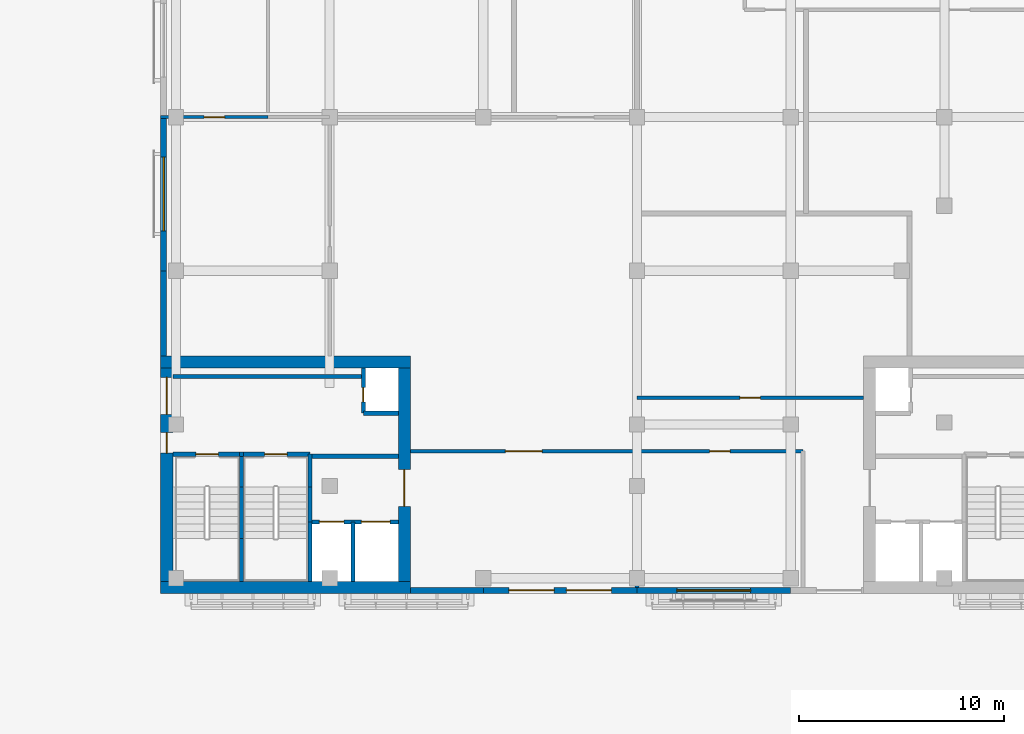
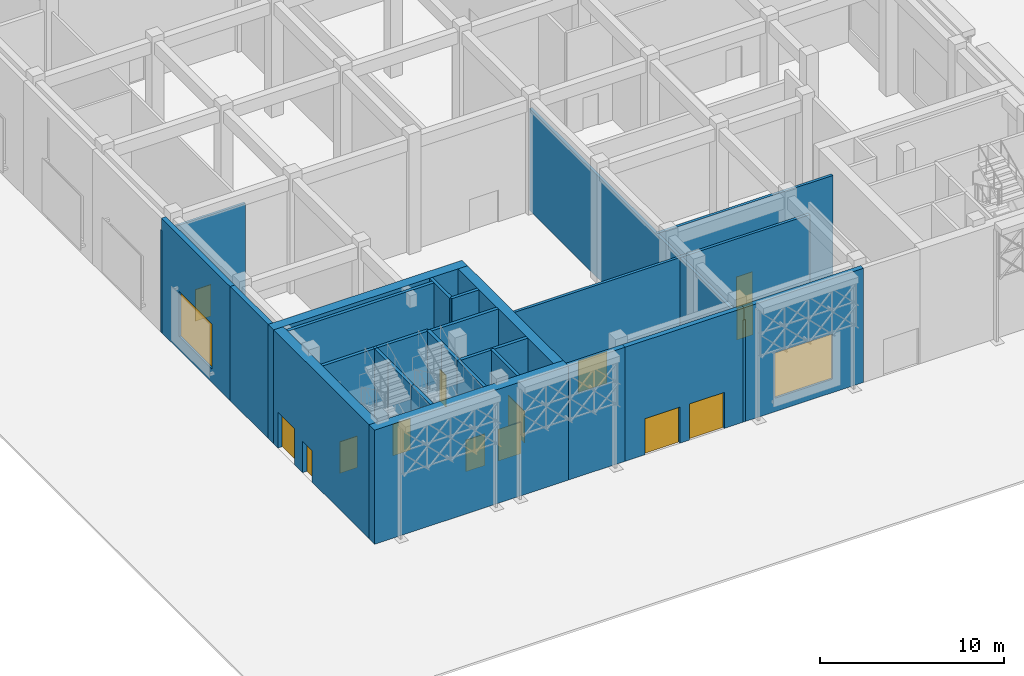
# One storey, part 28 of 64: 28 walls, 14 doors, 2 windows, 16 openings.
"""IFC4 building model written with IfcOpenShell, lengths in metres."""

from ifc_helpers import new_model, si_unit, direction, frame, frame_2d, origin, place, context, subcontext, project, spatial, rectangle, extrude, material, layer, layer_set, type_object, element, fill, save


model = new_model("IFC4")

# Units and contexts
model_context = context("Model", 3, precision=1e-05, world=origin(), true_north=direction((0.0, 1.0)))
body_context = subcontext(model_context, "Body", "Model", "MODEL_VIEW")
ifc_project = project(units=[si_unit("LENGTHUNIT", "METRE"), si_unit("AREAUNIT", "SQUARE_METRE"), si_unit("VOLUMEUNIT", "CUBIC_METRE"), si_unit("PLANEANGLEUNIT", "RADIAN"), si_unit("MASSUNIT", "GRAM", prefix="KILO")], contexts=[model_context])

# Site, building, storey
site_placement = place(None, origin())
site = spatial("IfcSite", under=ifc_project, at=site_placement, CompositionType="ELEMENT")
building_placement = place(site_placement, origin())
building = spatial("IfcBuilding", under=site, at=building_placement, Name="Tessera Arch", CompositionType="ELEMENT")
storey_placement = place(building_placement, origin())
storey = spatial("IfcBuildingStorey", under=building, at=storey_placement, Name="L00", CompositionType="ELEMENT", Elevation=0.0)

# Walls
ifc_material_1 = material(Name="Gypsum board on steel stud", Category="steel")
ifc_layer_1 = layer(ifc_material_1, 0.125)
ifc_layer_set_1 = layer_set([ifc_layer_1], Name="Core partition 125 EI 60")
wall_type_1 = type_object("IfcWallType", Name="Core partition 125 EI 60", PredefinedType="PARTITIONING", material=ifc_layer_set_1)
wall_1_placement = place(storey_placement, frame((-25.25, -25.85009765625, 0.0), z_axis=(0.0, 0.0, 1.0), x_axis=(1.0, 0.0, 0.0)))
element("IfcWall", 1, at=wall_1_placement, inside=storey, type_object=wall_type_1, Name="L00 M2 partition wall 10", PredefinedType="PARTITIONING", context=body_context, shape_type="SweptSolid", body=[
    extrude(rectangle(XDim=4.300048828125, YDim=0.199951171875, at=frame_2d((2.14990234375, 0.0))), origin(), (0.0, 0.0, 1.0), 7.590087890625),
])
wall_2_placement = place(storey_placement, frame((-31.949951171875, -21.949951171875, 0.0), z_axis=(0.0, 0.0, 1.0), x_axis=(1.0, 0.0, 0.0)))
element("IfcWall", 2, at=wall_2_placement, inside=storey, type_object=wall_type_1, Name="L00 M2 partition wall 15", PredefinedType="PARTITIONING", context=body_context, shape_type="SweptSolid", body=[
    extrude(rectangle(XDim=9.300048828125, YDim=0.199951171875, at=frame_2d((4.64990234375, 0.0))), origin(), (0.0, 0.0, 1.0), 7.590087890625),
])
ifc_material_2 = material(Name="Concrete C70/85", Category="concrete")
ifc_layer_2 = layer(ifc_material_2, 0.60009765625)
ifc_layer_set_2 = layer_set([ifc_layer_2], Name="Core shell wall 600 C70-85")
wall_type_2 = type_object("IfcWallType", Name="Core shell wall 600 C70-85", PredefinedType="SHEAR", material=ifc_layer_set_2)
for number, where, z_axis, x_axis, name in (
    (3, (-32.550048828125, -32.25, 0.0), (0.0, 0.0, 1.0), (1.0, 0.0, 0.0), "L00 M2 core wall S"),
    (4, (-32.550048828125, -21.25, 0.0), (0.0, 0.0, 1.0), (1.0, 0.0, 0.0), "L00 M2 core wall N"),
):
    element("IfcWall", number, at=place(storey_placement, frame(where, z_axis=z_axis, x_axis=x_axis)), inside=storey, type_object=wall_type_2, Name=name, PredefinedType="SHEAR", context=body_context, shape_type="SweptSolid", body=[
        extrude(rectangle(XDim=12.199951171875, YDim=0.60009765625, at=frame_2d((6.10009765625, 0.0))), origin(), (0.0, 0.0, 1.0), 7.590087890625),
    ])

# Wall, openings, doors
wall_3_placement = place(storey_placement, frame((-32.25, -31.949951171875, 0.0), z_axis=(0.0, 0.0, 1.0), x_axis=(0.0, 1.0, 0.0)))
wall_3 = element("IfcWall", 5, at=wall_3_placement, inside=storey, type_object=wall_type_2, Name="L00 M2 core wall W", PredefinedType="SHEAR", context=body_context, shape_type="SweptSolid", body=[
    extrude(rectangle(XDim=10.39990234375, YDim=0.60009765625, at=frame_2d((5.199951171875, 0.0))), origin(), (0.0, 0.0, 1.0), 7.590087890625),
])
opening_1_placement = place(wall_3_placement, frame((6.25, 0.0, 0.0)))
opening_1 = element("IfcOpeningElement", 6, at=opening_1_placement, cuts=wall_3, Name="Opening L00-C77", PredefinedType="OPENING", context=body_context, shape_type="SweptSolid", body=[
    extrude(rectangle(XDim=1.0, YDim=2.10009765625, at=frame_2d((0.5, 1.050048828125))), frame((0.0, 0.31005859375, 0.0), z_axis=(0.0, -1.0, 0.0), x_axis=(1.0, 0.0, 0.0)), (0.0, 0.0, 1.0), 0.6201171875),
])
opening_2_placement = place(wall_3_placement, frame((8.14990234375, 0.0, 0.0)))
opening_2 = element("IfcOpeningElement", 7, at=opening_2_placement, cuts=wall_3, Name="Opening L00-C78", PredefinedType="OPENING", context=body_context, shape_type="SweptSolid", body=[
    extrude(rectangle(XDim=1.800048828125, YDim=2.39990234375, at=frame_2d((0.89990234375, 1.199951171875))), frame((0.0, 0.31005859375, 0.0), z_axis=(0.0, -1.0, 0.0), x_axis=(1.0, 0.0, 0.0)), (0.0, 0.0, 1.0), 0.6201171875),
])
ifc_material_3 = material(Name="Steel door leaf", Category="steel")
door_type_1 = type_object("IfcDoorType", Name="Corridor door FD60 1000 x 2100", OperationType="SINGLE_SWING_LEFT", PredefinedType="DOOR", material=ifc_material_3)
door_1_placement = place(opening_1_placement, origin())
door_1 = element("IfcDoor", 8, at=door_1_placement, inside=storey, type_object=door_type_1, Name="Stair M2a exit C77 type D12", OperationType="SINGLE_SWING_RIGHT", OverallHeight=2.10009765625, OverallWidth=1.0, PredefinedType="DOOR", context=body_context, shape_type="SweptSolid", body=[
    extrude(rectangle(XDim=1.0, YDim=2.10009765625, at=frame_2d((0.5, 1.050048828125))), frame((0.0, 0.02490234375, 0.0), z_axis=(0.0, -1.0, 0.0), x_axis=(1.0, 0.0, 0.0)), (0.0, 0.0, 1.0), 0.050048828125),
])
fill(opening_1, door_1)
ifc_material_4 = material(Name="Steel door leaf", Category="steel")
door_type_2 = type_object("IfcDoorType", Name="Stair discharge door 1800 x 2400", OperationType="DOUBLE_DOOR_SINGLE_SWING", PredefinedType="DOOR", material=ifc_material_4)
door_2_placement = place(opening_2_placement, origin())
door_2 = element("IfcDoor", 9, at=door_2_placement, inside=storey, type_object=door_type_2, Name="Stair M2b exit C78 type D10", OperationType="DOUBLE_DOOR_SINGLE_SWING", OverallHeight=2.39990234375, OverallWidth=1.800048828125, PredefinedType="DOOR", context=body_context, shape_type="SweptSolid", body=[
    extrude(rectangle(XDim=1.800048828125, YDim=2.39990234375, at=frame_2d((0.89990234375, 1.199951171875))), frame((0.0, 0.02490234375, 0.0), z_axis=(0.0, -1.0, 0.0), x_axis=(1.0, 0.0, 0.0)), (0.0, 0.0, 1.0), 0.050048828125),
])
fill(opening_2, door_2)

# Wall, opening, door
wall_4_placement = place(storey_placement, frame((-20.64990234375, -31.949951171875, 0.0), z_axis=(0.0, 0.0, 1.0), x_axis=(0.0, 1.0, 0.0)))
wall_4 = element("IfcWall", 10, at=wall_4_placement, inside=storey, type_object=wall_type_2, Name="L00 M2 core wall E", PredefinedType="SHEAR", context=body_context, shape_type="SweptSolid", body=[
    extrude(rectangle(XDim=10.39990234375, YDim=0.60009765625, at=frame_2d((5.199951171875, 0.0))), origin(), (0.0, 0.0, 1.0), 7.590087890625),
])
opening_3_placement = place(wall_4_placement, frame((3.64990234375, 0.0, 0.0)))
opening_3 = element("IfcOpeningElement", 11, at=opening_3_placement, cuts=wall_4, Name="Opening L00-C59", PredefinedType="OPENING", context=body_context, shape_type="SweptSolid", body=[
    extrude(rectangle(XDim=1.800048828125, YDim=2.10009765625, at=frame_2d((0.89990234375, 1.050048828125))), frame((0.0, 0.31005859375, 0.0), z_axis=(0.0, -1.0, 0.0), x_axis=(1.0, 0.0, 0.0)), (0.0, 0.0, 1.0), 0.6201171875),
])
ifc_material_5 = material(Name="Glazed steel door leaf", Category="steel")
door_type_3 = type_object("IfcDoorType", Name="Lobby double door FD30S 1800 x 2100", OperationType="DOUBLE_DOOR_SINGLE_SWING", PredefinedType="DOOR", material=ifc_material_5)
door_3_placement = place(opening_3_placement, origin())
door_3 = element("IfcDoor", 12, at=door_3_placement, inside=storey, type_object=door_type_3, Name="L00 M2 door 5 C59 type D06", OperationType="DOUBLE_DOOR_SINGLE_SWING", OverallHeight=2.10009765625, OverallWidth=1.800048828125, PredefinedType="DOOR", context=body_context, shape_type="SweptSolid", body=[
    extrude(rectangle(XDim=1.800048828125, YDim=2.10009765625, at=frame_2d((0.89990234375, 1.050048828125))), frame((0.0, 0.02490234375, 0.0), z_axis=(0.0, -1.0, 0.0), x_axis=(1.0, 0.0, 0.0)), (0.0, 0.0, 1.0), 0.050048828125),
])
fill(opening_3, door_3)

# Wall, openings, doors
ifc_material_6 = material(Name="Gypsum board on deep steel stud with mineral wool", Category="steel")
ifc_layer_3 = layer(ifc_material_6, 0.175048828125)
ifc_layer_set_3 = layer_set([ifc_layer_3], Name="Corridor wall 175 EI 60")
wall_type_3 = type_object("IfcWallType", Name="Corridor wall 175 EI 60", PredefinedType="PARTITIONING", material=ifc_layer_set_3)
wall_5_placement = place(storey_placement, frame((-20.35009765625, -25.60009765625, 0.0), z_axis=(0.0, 0.0, 1.0), x_axis=(1.0, 0.0, 0.0)))
wall_5 = element("IfcWall", 13, at=wall_5_placement, inside=storey, type_object=wall_type_3, Name="L00 partition 1", PredefinedType="PARTITIONING", context=body_context, shape_type="SweptSolid", body=[
    extrude(rectangle(XDim=19.150146484375, YDim=0.175048828125, at=frame_2d((9.5751953125, 0.0))), origin(), (0.0, 0.0, 1.0), 6.7900390625),
])
opening_4_placement = place(wall_5_placement, frame((4.625, 0.0, 0.0)))
opening_4 = element("IfcOpeningElement", 14, at=opening_4_placement, cuts=wall_5, Name="Opening L00-D002", PredefinedType="OPENING", context=body_context, shape_type="SweptSolid", body=[
    extrude(rectangle(XDim=1.800048828125, YDim=2.10009765625, at=frame_2d((0.89990234375, 1.050048828125))), frame((0.0, 0.097412109375, 0.0), z_axis=(0.0, -1.0, 0.0), x_axis=(1.0, 0.0, 0.0)), (0.0, 0.0, 1.0), 0.195068359375),
])
opening_5_placement = place(wall_5_placement, frame((14.60009765625, 0.0, 0.0)))
opening_5 = element("IfcOpeningElement", 15, at=opening_5_placement, cuts=wall_5, Name="Opening L00-D016", PredefinedType="OPENING", context=body_context, shape_type="SweptSolid", body=[
    extrude(rectangle(XDim=1.0, YDim=2.10009765625, at=frame_2d((0.5, 1.050048828125))), frame((0.0, 0.097412109375, 0.0), z_axis=(0.0, -1.0, 0.0), x_axis=(1.0, 0.0, 0.0)), (0.0, 0.0, 1.0), 0.195068359375),
])
ifc_material_7 = material(Name="Timber door leaf", Category="wood")
door_type_4 = type_object("IfcDoorType", Name="Double door 1800 x 2100", OperationType="DOUBLE_DOOR_SINGLE_SWING", PredefinedType="DOOR", material=ifc_material_7)
door_4_placement = place(opening_4_placement, origin())
door_4 = element("IfcDoor", 16, at=door_4_placement, inside=storey, type_object=door_type_4, Name="L00 door D002 type D13", OperationType="DOUBLE_DOOR_SINGLE_SWING", OverallHeight=2.10009765625, OverallWidth=1.800048828125, PredefinedType="DOOR", context=body_context, shape_type="SweptSolid", body=[
    extrude(rectangle(XDim=1.800048828125, YDim=2.10009765625, at=frame_2d((0.89990234375, 1.050048828125))), frame((0.0, 0.02490234375, 0.0), z_axis=(0.0, -1.0, 0.0), x_axis=(1.0, 0.0, 0.0)), (0.0, 0.0, 1.0), 0.050048828125),
])
fill(opening_4, door_4)
ifc_material_8 = material(Name="Fire-rated door leaf")
door_type_5 = type_object("IfcDoorType", Name="Entrance door FD30S 1000 x 2100", OperationType="SINGLE_SWING_LEFT", PredefinedType="DOOR", material=ifc_material_8)
door_5_placement = place(opening_5_placement, origin())
door_5 = element("IfcDoor", 17, at=door_5_placement, inside=storey, type_object=door_type_5, Name="L00 door D016 type D03", OperationType="SINGLE_SWING_LEFT", OverallHeight=2.10009765625, OverallWidth=1.0, PredefinedType="DOOR", context=body_context, shape_type="SweptSolid", body=[
    extrude(rectangle(XDim=1.0, YDim=2.10009765625, at=frame_2d((0.5, 1.050048828125))), frame((0.0, 0.02490234375, 0.0), z_axis=(0.0, -1.0, 0.0), x_axis=(1.0, 0.0, 0.0)), (0.0, 0.0, 1.0), 0.050048828125),
])
fill(opening_5, door_5)

# Wall, opening, door
wall_6_placement = place(storey_placement, frame((-9.300048828125, -23.0, 0.0), z_axis=(0.0, 0.0, 1.0), x_axis=(1.0, 0.0, 0.0)))
wall_6 = element("IfcWall", 18, at=wall_6_placement, inside=storey, type_object=wall_type_3, Name="L00 partition 2", PredefinedType="PARTITIONING", context=body_context, shape_type="SweptSolid", body=[
    extrude(rectangle(XDim=11.050048828125, YDim=0.175048828125, at=frame_2d((5.52490234375, 0.0))), origin(), (0.0, 0.0, 1.0), 6.7900390625),
])
opening_6_placement = place(wall_6_placement, frame((5.02490234375, 0.0, 0.0)))
opening_6 = element("IfcOpeningElement", 19, at=opening_6_placement, cuts=wall_6, Name="Opening L00-D017", PredefinedType="OPENING", context=body_context, shape_type="SweptSolid", body=[
    extrude(rectangle(XDim=1.0, YDim=2.10009765625, at=frame_2d((0.5, 1.050048828125))), frame((0.0, 0.097412109375, 0.0), z_axis=(0.0, -1.0, 0.0), x_axis=(1.0, 0.0, 0.0)), (0.0, 0.0, 1.0), 0.195068359375),
])
door_6_placement = place(opening_6_placement, origin())
door_6 = element("IfcDoor", 20, at=door_6_placement, inside=storey, type_object=door_type_5, Name="L00 door D017 type D03", OperationType="SINGLE_SWING_RIGHT", OverallHeight=2.10009765625, OverallWidth=1.0, PredefinedType="DOOR", context=body_context, shape_type="SweptSolid", body=[
    extrude(rectangle(XDim=1.0, YDim=2.10009765625, at=frame_2d((0.5, 1.050048828125))), frame((0.0, 0.02490234375, 0.0), z_axis=(0.0, -1.0, 0.0), x_axis=(1.0, 0.0, 0.0)), (0.0, 0.0, 1.0), 0.050048828125),
])
fill(opening_6, door_6)

# Walls
wall_7_placement = place(storey_placement, frame((-9.300048828125, -32.550048828125, 0.0), z_axis=(0.0, 0.0, 1.0), x_axis=(0.0, 1.0, 0.0)))
element("IfcWall", 21, at=wall_7_placement, inside=storey, type_object=wall_type_3, Name="L00 partition 19", PredefinedType="PARTITIONING", context=body_context, shape_type="SweptSolid", body=[
    extrude(rectangle(XDim=23.25, YDim=0.175048828125, at=frame_2d((11.625, 0.0))), origin(), (0.0, 0.0, 1.0), 6.7900390625),
])
ifc_material_9 = material(Name="Aluminium cladding pale metal anodised", Category="aluminium")
ifc_layer_4 = layer(ifc_material_9, 0.300048828125)
ifc_layer_set_4 = layer_set([ifc_layer_4], Name="Museum envelope wall pale metal")
wall_type_4 = type_object("IfcWallType", Name="Museum envelope wall pale metal", PredefinedType="SOLIDWALL", material=ifc_layer_set_4)
wall_8_placement = place(storey_placement, frame((-20.35009765625, -32.39990234375, 0.0), z_axis=(0.0, 0.0, 1.0), x_axis=(1.0, 0.0, 0.0)))
element("IfcWall", 22, at=wall_8_placement, inside=storey, type_object=wall_type_4, Name="Museum external wall pale metal mashrabiya pattern", PredefinedType="SOLIDWALL", context=body_context, shape_type="SweptSolid", body=[
    extrude(rectangle(XDim=3.550048828125, YDim=0.300048828125, at=frame_2d((1.77490234375, 0.0))), origin(), (0.0, 0.0, 1.0), 7.590087890625),
])

# Wall, openings, doors
wall_9_placement = place(storey_placement, frame((-16.800048828125, -32.39990234375, 0.0), z_axis=(0.0, 0.0, 1.0), x_axis=(1.0, 0.0, 0.0)))
wall_9 = element("IfcWall", 23, at=wall_9_placement, inside=storey, type_object=wall_type_4, Name="Museum external wall pale metal mashrabiya pattern", PredefinedType="SOLIDWALL", context=body_context, shape_type="SweptSolid", body=[
    extrude(rectangle(XDim=7.5, YDim=0.300048828125, at=frame_2d((3.75, 0.0))), origin(), (0.0, 0.0, 1.0), 7.590087890625),
])
opening_7_placement = place(wall_9_placement, frame((1.25, 0.0, 0.0)))
opening_7 = element("IfcOpeningElement", 24, at=opening_7_placement, cuts=wall_9, Name="Opening L00-M01", PredefinedType="OPENING", context=body_context, shape_type="SweptSolid", body=[
    extrude(rectangle(XDim=2.199951171875, YDim=2.39990234375, at=frame_2d((1.10009765625, 1.199951171875))), frame((0.0, 0.159912109375, 0.0), z_axis=(0.0, -1.0, 0.0), x_axis=(1.0, 0.0, 0.0)), (0.0, 0.0, 1.0), 0.320068359375),
])
opening_8_placement = place(wall_9_placement, frame((4.050048828125, 0.0, 0.0)))
opening_8 = element("IfcOpeningElement", 25, at=opening_8_placement, cuts=wall_9, Name="Opening L00-M02", PredefinedType="OPENING", context=body_context, shape_type="SweptSolid", body=[
    extrude(rectangle(XDim=2.199951171875, YDim=2.39990234375, at=frame_2d((1.10009765625, 1.199951171875))), frame((0.0, 0.159912109375, 0.0), z_axis=(0.0, -1.0, 0.0), x_axis=(1.0, 0.0, 0.0)), (0.0, 0.0, 1.0), 0.320068359375),
])
ifc_material_10 = material(Name="Aluminium frame and clear glass", Category="aluminium")
door_type_6 = type_object("IfcDoorType", Name="Museum exit door double leaf", OperationType="DOUBLE_DOOR_SINGLE_SWING", PredefinedType="DOOR", material=ifc_material_10)
door_7_placement = place(opening_7_placement, origin())
door_7 = element("IfcDoor", 26, at=door_7_placement, inside=storey, type_object=door_type_6, Name="Museum door MX-S-EXIT-1 M01", OperationType="DOUBLE_DOOR_SINGLE_SWING", OverallHeight=2.39990234375, OverallWidth=2.199951171875, PredefinedType="DOOR", context=body_context, shape_type="SweptSolid", body=[
    extrude(rectangle(XDim=2.199951171875, YDim=2.39990234375, at=frame_2d((1.10009765625, 1.199951171875))), frame((0.0, 0.02490234375, 0.0), z_axis=(0.0, -1.0, 0.0), x_axis=(1.0, 0.0, 0.0)), (0.0, 0.0, 1.0), 0.050048828125),
])
fill(opening_7, door_7)
door_8_placement = place(opening_8_placement, origin())
door_8 = element("IfcDoor", 27, at=door_8_placement, inside=storey, type_object=door_type_6, Name="Museum door MX-S-EXIT-3 M02", OperationType="DOUBLE_DOOR_SINGLE_SWING", OverallHeight=2.39990234375, OverallWidth=2.199951171875, PredefinedType="DOOR", context=body_context, shape_type="SweptSolid", body=[
    extrude(rectangle(XDim=2.199951171875, YDim=2.39990234375, at=frame_2d((1.10009765625, 1.199951171875))), frame((0.0, 0.02490234375, 0.0), z_axis=(0.0, -1.0, 0.0), x_axis=(1.0, 0.0, 0.0)), (0.0, 0.0, 1.0), 0.050048828125),
])
fill(opening_8, door_8)

# Wall, opening, window
wall_10_placement = place(storey_placement, frame((-9.300048828125, -32.39990234375, 0.0), z_axis=(0.0, 0.0, 1.0), x_axis=(1.0, 0.0, 0.0)))
wall_10 = element("IfcWall", 28, at=wall_10_placement, inside=storey, type_object=wall_type_4, Name="Museum external wall pale metal mashrabiya pattern", PredefinedType="SOLIDWALL", context=body_context, shape_type="SweptSolid", body=[
    extrude(rectangle(XDim=7.5, YDim=0.300048828125, at=frame_2d((3.75, 0.0))), origin(), (0.0, 0.0, 1.0), 7.590087890625),
])
opening_9_placement = place(wall_10_placement, frame((1.949951171875, 0.0, 0.89990234375)))
opening_9 = element("IfcOpeningElement", 29, at=opening_9_placement, cuts=wall_10, Name="Opening L00-MV01", PredefinedType="OPENING", context=body_context, shape_type="SweptSolid", body=[
    extrude(rectangle(XDim=3.60009765625, YDim=3.0, at=frame_2d((1.800048828125, 1.5))), frame((0.0, 0.159912109375, 0.0), z_axis=(0.0, -1.0, 0.0), x_axis=(1.0, 0.0, 0.0)), (0.0, 0.0, 1.0), 0.320068359375),
])
ifc_material_11 = material(Name="Clear low-e glass in aluminium frame", Category="aluminium")
window_type = type_object("IfcWindowType", Name="Museum window fixed clear glass", PartitioningType="SINGLE_PANEL", PredefinedType="WINDOW", material=ifc_material_11)
window_1_placement = place(opening_9_placement, origin())
window_1 = element("IfcWindow", 30, at=window_1_placement, inside=storey, type_object=window_type, Name="Museum window L00 1-5", OverallHeight=3.0, OverallWidth=3.60009765625, PartitioningType="SINGLE_PANEL", PredefinedType="WINDOW", context=body_context, shape_type="SweptSolid", body=[
    extrude(rectangle(XDim=3.60009765625, YDim=3.0, at=frame_2d((1.800048828125, 1.5))), frame((0.0, 0.030029296875, 0.0), z_axis=(0.0, -1.0, 0.0), x_axis=(1.0, 0.0, 0.0)), (0.0, 0.0, 1.0), 0.06005859375),
])
fill(opening_9, window_1)

wall_11_placement = place(storey_placement, frame((-32.39990234375, -9.300048828125, 0.0), z_axis=(0.0, 0.0, 1.0), x_axis=(0.0, -1.0, 0.0)))
wall_11 = element("IfcWall", 31, at=wall_11_placement, inside=storey, type_object=wall_type_4, Name="Museum external wall pale metal mashrabiya pattern", PredefinedType="SOLIDWALL", context=body_context, shape_type="SweptSolid", body=[
    extrude(rectangle(XDim=7.5, YDim=0.300048828125, at=frame_2d((3.75, 0.0))), origin(), (0.0, 0.0, 1.0), 7.590087890625),
])
opening_10_placement = place(wall_11_placement, frame((1.949951171875, 0.0, 0.89990234375)))
opening_10 = element("IfcOpeningElement", 32, at=opening_10_placement, cuts=wall_11, Name="Opening L00-MV11", PredefinedType="OPENING", context=body_context, shape_type="SweptSolid", body=[
    extrude(rectangle(XDim=3.60009765625, YDim=3.0, at=frame_2d((1.800048828125, 1.5))), frame((0.0, 0.159912109375, 0.0), z_axis=(0.0, -1.0, 0.0), x_axis=(1.0, 0.0, 0.0)), (0.0, 0.0, 1.0), 0.320068359375),
])
window_2_placement = place(opening_10_placement, origin())
window_2 = element("IfcWindow", 33, at=window_2_placement, inside=storey, type_object=window_type, Name="Museum window L00 6-11", OverallHeight=3.0, OverallWidth=3.60009765625, PartitioningType="SINGLE_PANEL", PredefinedType="WINDOW", context=body_context, shape_type="SweptSolid", body=[
    extrude(rectangle(XDim=3.60009765625, YDim=3.0, at=frame_2d((1.800048828125, 1.5))), frame((0.0, 0.030029296875, 0.0), z_axis=(0.0, -1.0, 0.0), x_axis=(1.0, 0.0, 0.0)), (0.0, 0.0, 1.0), 0.06005859375),
])
fill(opening_10, window_2)

# Wall
wall_12_placement = place(storey_placement, frame((-32.39990234375, -16.800048828125, 0.0), z_axis=(0.0, 0.0, 1.0), x_axis=(0.0, -1.0, 0.0)))
element("IfcWall", 34, at=wall_12_placement, inside=storey, type_object=wall_type_4, Name="Museum external wall pale metal mashrabiya pattern", PredefinedType="SOLIDWALL", context=body_context, shape_type="SweptSolid", body=[
    extrude(rectangle(XDim=4.14990234375, YDim=0.300048828125, at=frame_2d((2.074951171875, 0.0))), origin(), (0.0, 0.0, 1.0), 7.590087890625),
])

# Wall, opening, door
ifc_material_12 = material(Name="Gypsum board on steel stud", Category="steel")
ifc_layer_5 = layer(ifc_material_12, 0.14990234375)
ifc_layer_set_5 = layer_set([ifc_layer_5], Name="Partition 150 EI 30")
wall_type_5 = type_object("IfcWallType", Name="Partition 150 EI 30", PredefinedType="PARTITIONING", material=ifc_layer_set_5)
wall_13_placement = place(storey_placement, frame((-32.550048828125, -9.300048828125, 0.0), z_axis=(0.0, 0.0, 1.0), x_axis=(1.0, 0.0, 0.0)))
wall_13 = element("IfcWall", 35, at=wall_13_placement, inside=storey, type_object=wall_type_5, Name="L00 partition 30", PredefinedType="PARTITIONING", context=body_context, shape_type="SweptSolid", body=[
    extrude(rectangle(XDim=5.25, YDim=0.14990234375, at=frame_2d((2.625, 0.0))), origin(), (0.0, 0.0, 1.0), 6.7900390625),
])
opening_11_placement = place(wall_13_placement, frame((2.125, 0.0, 0.0)))
opening_11 = element("IfcOpeningElement", 36, at=opening_11_placement, cuts=wall_13, Name="Opening L00-D019", PredefinedType="OPENING", context=body_context, shape_type="SweptSolid", body=[
    extrude(rectangle(XDim=1.0, YDim=2.10009765625, at=frame_2d((0.5, 1.050048828125))), frame((0.0, 0.0849609375, 0.0), z_axis=(0.0, -1.0, 0.0), x_axis=(1.0, 0.0, 0.0)), (0.0, 0.0, 1.0), 0.169921875),
])
door_9_placement = place(opening_11_placement, origin())
door_9 = element("IfcDoor", 37, at=door_9_placement, inside=storey, type_object=door_type_5, Name="L00 door D019 type D03", OperationType="SINGLE_SWING_RIGHT", OverallHeight=2.10009765625, OverallWidth=1.0, PredefinedType="DOOR", context=body_context, shape_type="SweptSolid", body=[
    extrude(rectangle(XDim=1.0, YDim=2.10009765625, at=frame_2d((0.5, 1.050048828125))), frame((0.0, 0.02490234375, 0.0), z_axis=(0.0, -1.0, 0.0), x_axis=(1.0, 0.0, 0.0)), (0.0, 0.0, 1.0), 0.050048828125),
])
fill(opening_11, door_9)

# Walls
ifc_material_13 = material(Name="Concrete C40/50", Category="concrete")
ifc_layer_6 = layer(ifc_material_13, 0.199951171875)
ifc_layer_set_6 = layer_set([ifc_layer_6], Name="Shaft wall 200 EI 120")
wall_type_6 = type_object("IfcWallType", Name="Shaft wall 200 EI 120", PredefinedType="SOLIDWALL", material=ifc_layer_set_6)
for number, where, z_axis, x_axis, name in (
    (38, (-25.25, -31.949951171875, 0.0), (0.0, 0.0, 1.0), (0.0, 1.0, 0.0), "L00 M2 shaft wall 4"),
    (39, (-23.14990234375, -31.949951171875, 0.0), (0.0, 0.0, 1.0), (0.0, 1.0, 0.0), "L00 M2 shaft wall 7"),
):
    element("IfcWall", number, at=place(storey_placement, frame(where, z_axis=z_axis, x_axis=x_axis)), inside=storey, type_object=wall_type_6, Name=name, PredefinedType="SOLIDWALL", context=body_context, shape_type="SweptSolid", body=[
        extrude(rectangle(XDim=2.89990234375, YDim=0.199951171875, at=frame_2d((1.449951171875, 0.0))), origin(), (0.0, 0.0, 1.0), 7.590087890625),
    ])

# Wall, opening, door
wall_14_placement = place(storey_placement, frame((-22.64990234375, -23.75, 0.0), z_axis=(0.0, 0.0, 1.0), x_axis=(0.0, 1.0, 0.0)))
wall_14 = element("IfcWall", 40, at=wall_14_placement, inside=storey, type_object=wall_type_6, Name="L00 M2 shaft wall 8", PredefinedType="SOLIDWALL", context=body_context, shape_type="SweptSolid", body=[
    extrude(rectangle(XDim=2.199951171875, YDim=0.199951171875, at=frame_2d((1.10009765625, 0.0))), origin(), (0.0, 0.0, 1.0), 7.590087890625),
])
opening_12_placement = place(wall_14_placement, frame((0.550048828125, 0.0, 0.0)))
opening_12 = element("IfcOpeningElement", 41, at=opening_12_placement, cuts=wall_14, Name="Opening L00-C60", PredefinedType="OPENING", context=body_context, shape_type="SweptSolid", body=[
    extrude(rectangle(XDim=0.699951171875, YDim=2.10009765625, at=frame_2d((0.35009765625, 1.050048828125))), frame((0.0, 0.10986328125, 0.0), z_axis=(0.0, -1.0, 0.0), x_axis=(1.0, 0.0, 0.0)), (0.0, 0.0, 1.0), 0.219970703125),
])
ifc_material_14 = material(Name="Steel door leaf", Category="steel")
door_type_7 = type_object("IfcDoorType", Name="Service shaft door FD60 700 x 2100", OperationType="SINGLE_SWING_LEFT", PredefinedType="DOOR", material=ifc_material_14)
door_10_placement = place(opening_12_placement, origin())
door_10 = element("IfcDoor", 42, at=door_10_placement, inside=storey, type_object=door_type_7, Name="L00 M2 door 6 C60 type D07", OperationType="SINGLE_SWING_LEFT", OverallHeight=2.10009765625, OverallWidth=0.699951171875, PredefinedType="DOOR", context=body_context, shape_type="SweptSolid", body=[
    extrude(rectangle(XDim=0.699951171875, YDim=2.10009765625, at=frame_2d((0.35009765625, 1.050048828125))), frame((0.0, 0.02490234375, 0.0), z_axis=(0.0, -1.0, 0.0), x_axis=(1.0, 0.0, 0.0)), (0.0, 0.0, 1.0), 0.050048828125),
])
fill(opening_12, door_10)

# Wall, openings, doors
wall_15_placement = place(storey_placement, frame((-25.25, -29.050048828125, 0.0), z_axis=(0.0, 0.0, 1.0), x_axis=(1.0, 0.0, 0.0)))
wall_15 = element("IfcWall", 43, at=wall_15_placement, inside=storey, type_object=wall_type_6, Name="L00 M2 shaft wall 9", PredefinedType="SOLIDWALL", context=body_context, shape_type="SweptSolid", body=[
    extrude(rectangle(XDim=4.300048828125, YDim=0.199951171875, at=frame_2d((2.14990234375, 0.0))), origin(), (0.0, 0.0, 1.0), 7.590087890625),
])
opening_13_placement = place(wall_15_placement, frame((0.449951171875, 0.0, 0.0)))
opening_13 = element("IfcOpeningElement", 44, at=opening_13_placement, cuts=wall_15, Name="Opening L00-C55", PredefinedType="OPENING", context=body_context, shape_type="SweptSolid", body=[
    extrude(rectangle(XDim=1.199951171875, YDim=2.10009765625, at=frame_2d((0.60009765625, 1.050048828125))), frame((0.0, 0.10986328125, 0.0), z_axis=(0.0, -1.0, 0.0), x_axis=(1.0, 0.0, 0.0)), (0.0, 0.0, 1.0), 0.219970703125),
])
opening_14_placement = place(wall_15_placement, frame((2.5, 0.0, 0.0)))
opening_14 = element("IfcOpeningElement", 45, at=opening_14_placement, cuts=wall_15, Name="Opening L00-C56", PredefinedType="OPENING", context=body_context, shape_type="SweptSolid", body=[
    extrude(rectangle(XDim=1.39990234375, YDim=2.10009765625, at=frame_2d((0.699951171875, 1.050048828125))), frame((0.0, 0.10986328125, 0.0), z_axis=(0.0, -1.0, 0.0), x_axis=(1.0, 0.0, 0.0)), (0.0, 0.0, 1.0), 0.219970703125),
])
ifc_material_15 = material(Name="Stainless steel AISI 304", Category="steel")
door_type_8 = type_object("IfcDoorType", Name="Sliding landing door 1200 x 2100", OperationType="SLIDING_TO_LEFT", PredefinedType="DOOR", material=ifc_material_15)
door_11_placement = place(opening_13_placement, origin())
door_11 = element("IfcDoor", 46, at=door_11_placement, inside=storey, type_object=door_type_8, Name="L00 ML2 lift landing door C55 type LD", OperationType="SLIDING_TO_LEFT", OverallHeight=2.10009765625, OverallWidth=1.199951171875, PredefinedType="DOOR", context=body_context, shape_type="SweptSolid", body=[
    extrude(rectangle(XDim=1.199951171875, YDim=2.10009765625, at=frame_2d((0.60009765625, 1.050048828125))), frame((0.0, 0.02490234375, 0.0), z_axis=(0.0, -1.0, 0.0), x_axis=(1.0, 0.0, 0.0)), (0.0, 0.0, 1.0), 0.050048828125),
])
fill(opening_13, door_11)
ifc_material_16 = material(Name="Stainless steel AISI 304", Category="steel")
door_type_9 = type_object("IfcDoorType", Name="Sliding landing door 1400 x 2100", OperationType="SLIDING_TO_LEFT", PredefinedType="DOOR", material=ifc_material_16)
door_12_placement = place(opening_14_placement, origin())
door_12 = element("IfcDoor", 47, at=door_12_placement, inside=storey, type_object=door_type_9, Name="L00 ML3 lift landing door C56 type LDW", OperationType="SLIDING_TO_LEFT", OverallHeight=2.10009765625, OverallWidth=1.39990234375, PredefinedType="DOOR", context=body_context, shape_type="SweptSolid", body=[
    extrude(rectangle(XDim=1.39990234375, YDim=2.10009765625, at=frame_2d((0.699951171875, 1.050048828125))), frame((0.0, 0.02490234375, 0.0), z_axis=(0.0, -1.0, 0.0), x_axis=(1.0, 0.0, 0.0)), (0.0, 0.0, 1.0), 0.050048828125),
])
fill(opening_14, door_12)

# Walls
wall_16_placement = place(storey_placement, frame((-22.64990234375, -23.75, 0.0), z_axis=(0.0, 0.0, 1.0), x_axis=(1.0, 0.0, 0.0)))
element("IfcWall", 48, at=wall_16_placement, inside=storey, type_object=wall_type_6, Name="L00 M2 shaft wall 14", PredefinedType="SOLIDWALL", context=body_context, shape_type="SweptSolid", body=[
    extrude(rectangle(XDim=1.699951171875, YDim=0.199951171875, at=frame_2d((0.85009765625, 0.0))), origin(), (0.0, 0.0, 1.0), 7.590087890625),
])
ifc_material_17 = material(Name="Concrete C40/50", Category="concrete")
ifc_layer_7 = layer(ifc_material_17, 0.199951171875)
ifc_layer_set_7 = layer_set([ifc_layer_7], Name="Stair well wall 200 REI 180")
wall_type_7 = type_object("IfcWallType", Name="Stair well wall 200 REI 180", PredefinedType="SOLIDWALL", material=ifc_layer_set_7)
wall_17_placement = place(storey_placement, frame((-28.60009765625, -31.949951171875, 0.0), z_axis=(0.0, 0.0, 1.0), x_axis=(0.0, 1.0, 0.0)))
element("IfcWall", 49, at=wall_17_placement, inside=storey, type_object=wall_type_7, Name="L00 M2 shaft wall 1", PredefinedType="SOLIDWALL", context=body_context, shape_type="SweptSolid", body=[
    extrude(rectangle(XDim=2.079833984375, YDim=0.199951171875, at=frame_2d((1.0400390625, 0.0))), origin(), (0.0, 0.0, 1.0), 7.590087890625),
])
wall_18_placement = place(storey_placement, frame((-28.60009765625, -29.8701171875, 0.0), z_axis=(0.0, 0.0, 1.0), x_axis=(0.0, 1.0, 0.0)))
element("IfcWall", 50, at=wall_18_placement, inside=storey, type_object=wall_type_7, Name="L00 M2 shaft wall 2", PredefinedType="SOLIDWALL", context=body_context, shape_type="SweptSolid", body=[
    extrude(rectangle(XDim=2.52001953125, YDim=0.199951171875, at=frame_2d((1.260009765625, 0.0))), origin(), (0.0, 0.0, 1.0), 7.590087890625),
])
wall_19_placement = place(storey_placement, frame((-28.60009765625, -27.35009765625, 0.0), z_axis=(0.0, 0.0, 1.0), x_axis=(0.0, 1.0, 0.0)))
element("IfcWall", 51, at=wall_19_placement, inside=storey, type_object=wall_type_7, Name="L00 M2 shaft wall 3", PredefinedType="SOLIDWALL", context=body_context, shape_type="SweptSolid", body=[
    extrude(rectangle(XDim=1.60009765625, YDim=0.199951171875, at=frame_2d((0.800048828125, 0.0))), origin(), (0.0, 0.0, 1.0), 7.590087890625),
])
wall_20_placement = place(storey_placement, frame((-25.25, -29.050048828125, 0.0), z_axis=(0.0, 0.0, 1.0), x_axis=(0.0, 1.0, 0.0)))
element("IfcWall", 52, at=wall_20_placement, inside=storey, type_object=wall_type_7, Name="L00 M2 shaft wall 5", PredefinedType="SOLIDWALL", context=body_context, shape_type="SweptSolid", body=[
    extrude(rectangle(XDim=1.699951171875, YDim=0.199951171875, at=frame_2d((0.85009765625, 0.0))), origin(), (0.0, 0.0, 1.0), 7.590087890625),
])
wall_21_placement = place(storey_placement, frame((-25.25, -27.35009765625, 0.0), z_axis=(0.0, 0.0, 1.0), x_axis=(0.0, 1.0, 0.0)))
element("IfcWall", 53, at=wall_21_placement, inside=storey, type_object=wall_type_7, Name="L00 M2 shaft wall 6", PredefinedType="SOLIDWALL", context=body_context, shape_type="SweptSolid", body=[
    extrude(rectangle(XDim=1.60009765625, YDim=0.199951171875, at=frame_2d((0.800048828125, 0.0))), origin(), (0.0, 0.0, 1.0), 7.590087890625),
])

# Wall, opening, door
wall_22_placement = place(storey_placement, frame((-31.949951171875, -25.75, 0.0), z_axis=(0.0, 0.0, 1.0), x_axis=(1.0, 0.0, 0.0)))
wall_22 = element("IfcWall", 54, at=wall_22_placement, inside=storey, type_object=wall_type_7, Name="L00 M2 shaft wall 11", PredefinedType="SOLIDWALL", context=body_context, shape_type="SweptSolid", body=[
    extrude(rectangle(XDim=3.25, YDim=0.199951171875, at=frame_2d((1.625, 0.0))), origin(), (0.0, 0.0, 1.0), 7.590087890625),
])
opening_15_placement = place(wall_22_placement, frame((1.125, 0.0, 0.0)))
opening_15 = element("IfcOpeningElement", 55, at=opening_15_placement, cuts=wall_22, Name="Opening L00-C57", PredefinedType="OPENING", context=body_context, shape_type="SweptSolid", body=[
    extrude(rectangle(XDim=1.10009765625, YDim=2.10009765625, at=frame_2d((0.550048828125, 1.050048828125))), frame((0.0, 0.10986328125, 0.0), z_axis=(0.0, -1.0, 0.0), x_axis=(1.0, 0.0, 0.0)), (0.0, 0.0, 1.0), 0.219970703125),
])
ifc_material_18 = material(Name="Steel door leaf", Category="steel")
door_type_10 = type_object("IfcDoorType", Name="Stair door FD60 1100 x 2100", OperationType="SINGLE_SWING_LEFT", PredefinedType="DOOR", material=ifc_material_18)
door_13_placement = place(opening_15_placement, origin())
door_13 = element("IfcDoor", 56, at=door_13_placement, inside=storey, type_object=door_type_10, Name="L00 M2 door 3 C57 type D05", OperationType="SINGLE_SWING_RIGHT", OverallHeight=2.10009765625, OverallWidth=1.10009765625, PredefinedType="DOOR", context=body_context, shape_type="SweptSolid", body=[
    extrude(rectangle(XDim=1.10009765625, YDim=2.10009765625, at=frame_2d((0.550048828125, 1.050048828125))), frame((0.0, 0.02490234375, 0.0), z_axis=(0.0, -1.0, 0.0), x_axis=(1.0, 0.0, 0.0)), (0.0, 0.0, 1.0), 0.050048828125),
])
fill(opening_15, door_13)

# Wall
wall_23_placement = place(storey_placement, frame((-28.699951171875, -25.75, 0.0), z_axis=(0.0, 0.0, 1.0), x_axis=(1.0, 0.0, 0.0)))
element("IfcWall", 57, at=wall_23_placement, inside=storey, type_object=wall_type_7, Name="L00 M2 shaft wall 12", PredefinedType="SOLIDWALL", context=body_context, shape_type="SweptSolid", body=[
    extrude(rectangle(XDim=0.199951171875, YDim=0.199951171875, at=frame_2d((0.10009765625, 0.0))), origin(), (0.0, 0.0, 1.0), 7.590087890625),
])

# Wall, opening, door
wall_24_placement = place(storey_placement, frame((-28.5, -25.75, 0.0), z_axis=(0.0, 0.0, 1.0), x_axis=(1.0, 0.0, 0.0)))
wall_24 = element("IfcWall", 58, at=wall_24_placement, inside=storey, type_object=wall_type_7, Name="L00 M2 shaft wall 13", PredefinedType="SOLIDWALL", context=body_context, shape_type="SweptSolid", body=[
    extrude(rectangle(XDim=3.25, YDim=0.199951171875, at=frame_2d((1.625, 0.0))), origin(), (0.0, 0.0, 1.0), 7.590087890625),
])
opening_16_placement = place(wall_24_placement, frame((1.02490234375, 0.0, 0.0)))
opening_16 = element("IfcOpeningElement", 59, at=opening_16_placement, cuts=wall_24, Name="Opening L00-C58", PredefinedType="OPENING", context=body_context, shape_type="SweptSolid", body=[
    extrude(rectangle(XDim=1.10009765625, YDim=2.10009765625, at=frame_2d((0.550048828125, 1.050048828125))), frame((0.0, 0.10986328125, 0.0), z_axis=(0.0, -1.0, 0.0), x_axis=(1.0, 0.0, 0.0)), (0.0, 0.0, 1.0), 0.219970703125),
])
door_14_placement = place(opening_16_placement, origin())
door_14 = element("IfcDoor", 60, at=door_14_placement, inside=storey, type_object=door_type_10, Name="L00 M2 door 4 C58 type D05", OperationType="SINGLE_SWING_LEFT", OverallHeight=2.10009765625, OverallWidth=1.10009765625, PredefinedType="DOOR", context=body_context, shape_type="SweptSolid", body=[
    extrude(rectangle(XDim=1.10009765625, YDim=2.10009765625, at=frame_2d((0.550048828125, 1.050048828125))), frame((0.0, 0.02490234375, 0.0), z_axis=(0.0, -1.0, 0.0), x_axis=(1.0, 0.0, 0.0)), (0.0, 0.0, 1.0), 0.050048828125),
])
fill(opening_16, door_14)

save(model, "model.ifc")
